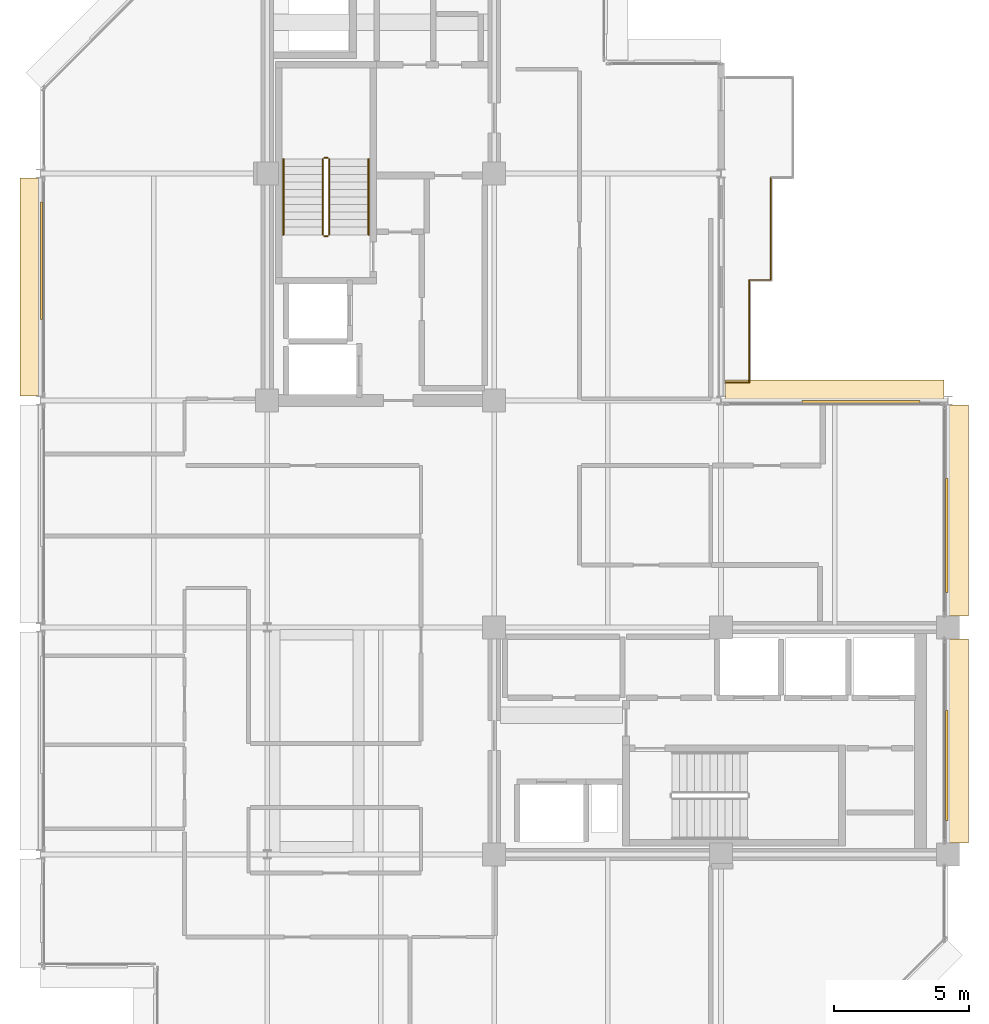
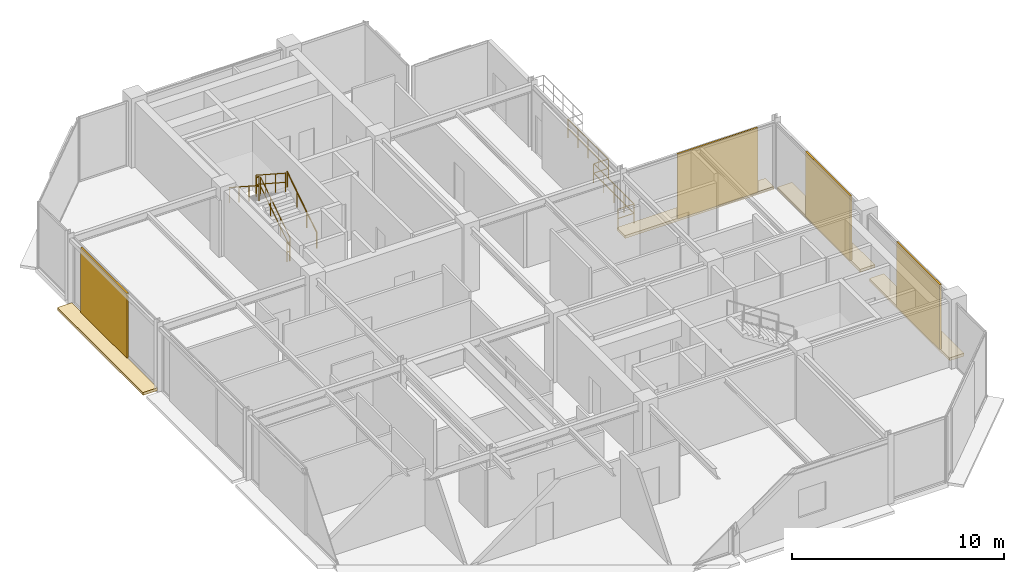
# One storey, part 24 of 25: 10 railings, 8 coverings.
"""IFC4 building model written with IfcOpenShell, lengths in metres."""

from ifc_helpers import new_model, si_unit, direction, frame, origin, origin_2d, place, context, subcontext, project, spatial, polyline, rectangle, circle, outline, extrude, material, layer, layer_set, type_object, element, save


model = new_model("IFC4")

# Units and contexts
model_context = context("Model", 3, precision=1e-05, world=origin(), true_north=direction((0.0, 1.0)))
body_context = subcontext(model_context, "Body", "Model", "MODEL_VIEW")
ifc_project = project(units=[si_unit("LENGTHUNIT", "METRE"), si_unit("AREAUNIT", "SQUARE_METRE"), si_unit("VOLUMEUNIT", "CUBIC_METRE"), si_unit("PLANEANGLEUNIT", "RADIAN"), si_unit("MASSUNIT", "GRAM", prefix="KILO")], contexts=[model_context])

# Site, building, storey
site_placement = place(None, origin())
site = spatial("IfcSite", under=ifc_project, at=site_placement, CompositionType="ELEMENT")
building_placement = place(site_placement, origin())
building = spatial("IfcBuilding", under=site, at=building_placement, Name="Nerrivon Quay Data Exchange", CompositionType="ELEMENT")
storey_placement = place(building_placement, frame((0.0, 0.0, 314.199951171875)))
storey = spatial("IfcBuildingStorey", under=building, at=storey_placement, Name="L75", CompositionType="ELEMENT", Elevation=314.199951171875)

# Coverings
ifc_material_1 = material(Name="Architectural terracotta ceramic", Category="masonry")
ifc_layer_1 = layer(ifc_material_1, 0.159912109375)
ifc_layer_set_1 = layer_set([ifc_layer_1], Name="Architectural terracotta ceramic")
covering_type_1 = type_object("IfcCoveringType", Name="COV-BLD-TERR", PredefinedType="CLADDING", material=ifc_layer_set_1)
covering_1_placement = place(storey_placement, frame((0.0, 0.0, -0.159912109375)))
element("IfcCovering", 1, at=covering_1_placement, inside=storey, type_object=covering_type_1, Name="L75 Horizontal Terracotta SOLAR SCREEN Blade", PredefinedType="CLADDING", context=body_context, shape_type="SweptSolid", body=[
    extrude(outline(polyline([(0.0400390625, 25.363525390625), (0.0400390625, 33.4365234375), (-0.75, 33.4365234375), (-0.75, 25.363525390625), (0.0400390625, 25.363525390625)])), origin(), (0.0, 0.0, 1.0), 0.159912109375),
])
covering_2_placement = place(storey_placement, frame((0.0, 0.0, -0.159912109375)))
element("IfcCovering", 2, at=covering_2_placement, inside=storey, type_object=covering_type_1, Name="L75 Horizontal Terracotta SOLAR SCREEN Blade", PredefinedType="CLADDING", context=body_context, shape_type="SweptSolid", body=[
    extrude(outline(polyline([(25.35546875, 25.159912109375), (33.444580078125, 25.159912109375), (33.444580078125, 25.949951171875), (25.35546875, 25.949951171875), (25.35546875, 25.159912109375)])), origin(), (0.0, 0.0, 1.0), 0.159912109375),
])
covering_3_placement = place(storey_placement, frame((0.0, 0.0, -0.159912109375)))
element("IfcCovering", 3, at=covering_3_placement, inside=storey, type_object=covering_type_1, Name="L75 Horizontal Terracotta SOLAR SCREEN Blade", PredefinedType="CLADDING", context=body_context, shape_type="SweptSolid", body=[
    extrude(outline(polyline([(33.56005859375, 25.03662109375), (33.56005859375, 17.22509765625), (34.35009765625, 17.22509765625), (34.35009765625, 25.03662109375), (33.56005859375, 25.03662109375)])), origin(), (0.0, 0.0, 1.0), 0.159912109375),
])
covering_4_placement = place(storey_placement, frame((0.0, 0.0, -0.159912109375)))
element("IfcCovering", 4, at=covering_4_placement, inside=storey, type_object=covering_type_1, Name="L75 Horizontal Terracotta SOLAR SCREEN Blade", PredefinedType="CLADDING", context=body_context, shape_type="SweptSolid", body=[
    extrude(outline(polyline([(33.56005859375, 16.375), (33.56005859375, 8.824951171875), (34.35009765625, 8.824951171875), (34.35009765625, 16.375), (33.56005859375, 16.375)])), origin(), (0.0, 0.0, 1.0), 0.159912109375),
])
ifc_layer_2 = layer(ifc_material_1, 0.090087890625)
ifc_layer_set_2 = layer_set([ifc_layer_2], Name="Architectural terracotta ceramic")
covering_type_2 = type_object("IfcCoveringType", Name="COV-SCR-TERR", PredefinedType="CLADDING", material=ifc_layer_set_2)
covering_5_placement = place(storey_placement, frame((0.044921875, 30.368896484375, 0.0), z_axis=(0.0, 0.0, 1.0), x_axis=(0.0, 1.0, 0.0)))
element("IfcCovering", 5, at=covering_5_placement, inside=storey, type_object=covering_type_2, Name="L75 Perforated Terracotta SOLAR SCREEN Cassette", PredefinedType="CLADDING", context=body_context, shape_type="SweptSolid", body=[
    extrude(rectangle(XDim=4.35888671875, YDim=0.090087890625, at=origin_2d()), origin(), (0.0, 0.0, 1.0), 3.72509765625),
])
covering_6_placement = place(storey_placement, frame((30.37060546875, 25.155029296875, 0.0), z_axis=(0.0, 0.0, 1.0), x_axis=(1.0, 0.0, 0.0)))
element("IfcCovering", 6, at=covering_6_placement, inside=storey, type_object=covering_type_2, Name="L75 Perforated Terracotta SOLAR SCREEN Cassette", PredefinedType="CLADDING", context=body_context, shape_type="SweptSolid", body=[
    extrude(rectangle(XDim=4.367919921875, YDim=0.090087890625, at=origin_2d()), origin(), (0.0, 0.0, 1.0), 3.72509765625),
])
covering_7_placement = place(storey_placement, frame((33.554931640625, 20.193359375, 0.0), z_axis=(0.0, 0.0, 1.0), x_axis=(0.0, -1.0, 0.0)))
element("IfcCovering", 7, at=covering_7_placement, inside=storey, type_object=covering_type_2, Name="L75 Perforated Terracotta SOLAR SCREEN Cassette", PredefinedType="CLADDING", context=body_context, shape_type="SweptSolid", body=[
    extrude(rectangle(XDim=4.218017578125, YDim=0.090087890625, at=origin_2d()), origin(), (0.0, 0.0, 1.0), 3.72509765625),
])
covering_8_placement = place(storey_placement, frame((33.554931640625, 11.694091796875, 0.0), z_axis=(0.0, 0.0, 1.0), x_axis=(0.0, -1.0, 0.0)))
element("IfcCovering", 8, at=covering_8_placement, inside=storey, type_object=covering_type_2, Name="L75 Perforated Terracotta SOLAR SCREEN Cassette", PredefinedType="CLADDING", context=body_context, shape_type="SweptSolid", body=[
    extrude(rectangle(XDim=4.076904296875, YDim=0.090087890625, at=origin_2d()), origin(), (0.0, 0.0, 1.0), 3.72509765625),
])

# Railings
ifc_material_2 = material(Name="Steel Grade C350L0 (350 MPa)", Category="steel")
railing_type_1 = type_object("IfcRailingType", Name="RAIL-GUARD-GR2", PredefinedType="BALUSTRADE", material=ifc_material_2)
railing_1_placement = place(storey_placement, frame((26.239990234375, 29.659912109375, 0.0)))
element("IfcRailing", 9, at=railing_1_placement, inside=storey, type_object=railing_type_1, Name="L75 Verandah Balcony Guard 1.1 1", PredefinedType="BALUSTRADE", context=body_context, shape_type="SweptSolid", body=[
    extrude(circle(Radius=0.02392578125, at=origin_2d()), frame((0.0, 0.0, 1.09619140625), z_axis=(0.0, -1.0, 0.0), x_axis=(1.0, 0.0, 0.0)), (0.0, 0.0, 1.0), 3.7998046875),
    extrude(circle(Radius=0.02392578125, at=origin_2d()), frame((0.0, 0.0, 0.56005859375), z_axis=(0.0, -1.0, 0.0), x_axis=(1.0, 0.0, 0.0)), (0.0, 0.0, 1.0), 3.7998046875),
    extrude(circle(Radius=0.02099609375, at=origin_2d()), origin(), (0.0, 0.0, 1.0), 1.072021484375),
    extrude(circle(Radius=0.02099609375, at=origin_2d()), frame((0.0, -0.949951171875, 0.0)), (0.0, 0.0, 1.0), 1.072021484375),
    extrude(circle(Radius=0.02099609375, at=origin_2d()), frame((0.0, -1.89990234375, 0.0)), (0.0, 0.0, 1.0), 1.072021484375),
    extrude(circle(Radius=0.02099609375, at=origin_2d()), frame((0.0, -2.849853515625, 0.0)), (0.0, 0.0, 1.0), 1.072021484375),
    extrude(circle(Radius=0.02099609375, at=origin_2d()), frame((0.0, -3.7998046875, 0.0)), (0.0, 0.0, 1.0), 1.072021484375),
])
railing_2_placement = place(storey_placement, frame((26.239990234375, 25.860107421875, 0.0)))
element("IfcRailing", 10, at=railing_2_placement, inside=storey, type_object=railing_type_1, Name="L75 Verandah Balcony Guard 1.2 1", PredefinedType="BALUSTRADE", context=body_context, shape_type="SweptSolid", body=[
    extrude(circle(Radius=0.02392578125, at=origin_2d()), frame((0.0, 0.0, 1.09619140625), z_axis=(-1.0, 0.0, 0.0), x_axis=(0.0, -1.0, 0.0)), (0.0, 0.0, 1.0), 0.860107421875),
    extrude(circle(Radius=0.02392578125, at=origin_2d()), frame((0.0, 0.0, 0.56005859375), z_axis=(-1.0, 0.0, 0.0), x_axis=(0.0, -1.0, 0.0)), (0.0, 0.0, 1.0), 0.860107421875),
    extrude(circle(Radius=0.02099609375, at=origin_2d()), origin(), (0.0, 0.0, 1.0), 1.072021484375),
    extrude(circle(Radius=0.02099609375, at=origin_2d()), frame((-0.860107421875, 0.0, 0.0)), (0.0, 0.0, 1.0), 1.072021484375),
])
railing_3_placement = place(storey_placement, frame((27.0400390625, 33.4599609375, 0.0)))
element("IfcRailing", 11, at=railing_3_placement, inside=storey, type_object=railing_type_1, Name="L75 Verandah Balcony Guard 1.6 1", PredefinedType="BALUSTRADE", context=body_context, shape_type="SweptSolid", body=[
    extrude(circle(Radius=0.02392578125, at=origin_2d()), frame((0.0, 0.0, 1.09619140625), z_axis=(0.0, -1.0, 0.0), x_axis=(1.0, 0.0, 0.0)), (0.0, 0.0, 1.0), 3.800048828125),
    extrude(circle(Radius=0.02392578125, at=origin_2d()), frame((0.0, 0.0, 0.56005859375), z_axis=(0.0, -1.0, 0.0), x_axis=(1.0, 0.0, 0.0)), (0.0, 0.0, 1.0), 3.800048828125),
    extrude(circle(Radius=0.02099609375, at=origin_2d()), origin(), (0.0, 0.0, 1.0), 1.072021484375),
    extrude(circle(Radius=0.02099609375, at=origin_2d()), frame((0.0, -0.949951171875, 0.0)), (0.0, 0.0, 1.0), 1.072021484375),
    extrude(circle(Radius=0.02099609375, at=origin_2d()), frame((0.0, -1.89990234375, 0.0)), (0.0, 0.0, 1.0), 1.072021484375),
    extrude(circle(Radius=0.02099609375, at=origin_2d()), frame((0.0, -2.85009765625, 0.0)), (0.0, 0.0, 1.0), 1.072021484375),
    extrude(circle(Radius=0.02099609375, at=origin_2d()), frame((0.0, -3.800048828125, 0.0)), (0.0, 0.0, 1.0), 1.072021484375),
])
railing_4_placement = place(storey_placement, frame((27.0400390625, 29.659912109375, 0.0)))
element("IfcRailing", 12, at=railing_4_placement, inside=storey, type_object=railing_type_1, Name="L75 Verandah Balcony Guard 1.7 1", PredefinedType="BALUSTRADE", context=body_context, shape_type="SweptSolid", body=[
    extrude(circle(Radius=0.02392578125, at=origin_2d()), frame((0.0, 0.0, 1.09619140625), z_axis=(-1.0, 0.0, 0.0), x_axis=(0.0, -1.0, 0.0)), (0.0, 0.0, 1.0), 0.800048828125),
    extrude(circle(Radius=0.02392578125, at=origin_2d()), frame((0.0, 0.0, 0.56005859375), z_axis=(-1.0, 0.0, 0.0), x_axis=(0.0, -1.0, 0.0)), (0.0, 0.0, 1.0), 0.800048828125),
    extrude(circle(Radius=0.02099609375, at=origin_2d()), origin(), (0.0, 0.0, 1.0), 1.072021484375),
    extrude(circle(Radius=0.02099609375, at=origin_2d()), frame((-0.800048828125, 0.0, 0.0)), (0.0, 0.0, 1.0), 1.072021484375),
])
railing_type_2 = type_object("IfcRailingType", Name="RAIL-HAND-HR1", PredefinedType="HANDRAIL", material=ifc_material_2)
railing_5_placement = place(storey_placement, frame((12.14990234375, 31.330078125, 0.181884765625)))
element("IfcRailing", 13, at=railing_5_placement, inside=storey, type_object=railing_type_2, Name="L75 ST01 stair handrail 1", PredefinedType="HANDRAIL", context=body_context, shape_type="SweptSolid", body=[
    extrude(circle(Radius=0.02392578125, at=origin_2d()), frame((0.0, 0.0, 0.8759765625), z_axis=(0.0, 0.83868413941, 0.544618136222), x_axis=(-1.0, 0.0, 0.0)), (0.0, 0.0, 1.0), 3.33837890625),
    extrude(circle(Radius=0.02099609375, at=origin_2d()), origin(), (0.0, 0.0, 1.0), 0.851806640625),
    extrude(circle(Radius=0.02099609375, at=origin_2d()), frame((0.0, 0.933349609375, 0.60595703125)), (0.0, 0.0, 1.0), 0.851806640625),
    extrude(circle(Radius=0.02099609375, at=origin_2d()), frame((0.0, 1.866455078125, 1.212158203125)), (0.0, 0.0, 1.0), 0.851806640625),
    extrude(circle(Radius=0.02099609375, at=origin_2d()), frame((0.0, 2.7998046875, 1.818115234375)), (0.0, 0.0, 1.0), 0.851806640625),
])
railing_6_placement = place(storey_placement, frame((9.0, 34.1298828125, 2.181884765625)))
element("IfcRailing", 14, at=railing_6_placement, inside=storey, type_object=railing_type_2, Name="L75 ST01 stair handrail 2", PredefinedType="HANDRAIL", context=body_context, shape_type="SweptSolid", body=[
    extrude(circle(Radius=0.02392578125, at=origin_2d()), frame((0.0, 0.0, 0.8759765625), z_axis=(0.0, -0.83868413941, 0.544618136222), x_axis=(1.0, 0.0, 0.0)), (0.0, 0.0, 1.0), 3.33837890625),
    extrude(circle(Radius=0.02099609375, at=origin_2d()), origin(), (0.0, 0.0, 1.0), 0.851806640625),
    extrude(circle(Radius=0.02099609375, at=origin_2d()), frame((0.0, -0.933349609375, 0.60595703125)), (0.0, 0.0, 1.0), 0.851806640625),
    extrude(circle(Radius=0.02099609375, at=origin_2d()), frame((0.0, -1.866455078125, 1.212158203125)), (0.0, 0.0, 1.0), 0.851806640625),
    extrude(circle(Radius=0.02099609375, at=origin_2d()), frame((0.0, -2.7998046875, 1.818115234375)), (0.0, 0.0, 1.0), 0.851806640625),
])
railing_type_3 = type_object("IfcRailingType", Name="RAIL-STAIR-GR1", PredefinedType="BALUSTRADE", material=ifc_material_2)
railing_7_placement = place(storey_placement, frame((10.699951171875, 31.330078125, 0.181884765625)))
element("IfcRailing", 15, at=railing_7_placement, inside=storey, type_object=railing_type_3, Name="L75 ST01 stair guard 1", PredefinedType="BALUSTRADE", context=body_context, shape_type="SweptSolid", body=[
    extrude(circle(Radius=0.02392578125, at=origin_2d()), frame((0.0, 0.0, 1.076171875), z_axis=(0.0, 0.83868413941, 0.544618136222), x_axis=(-1.0, 0.0, 0.0)), (0.0, 0.0, 1.0), 3.33837890625),
    extrude(circle(Radius=0.02392578125, at=origin_2d()), frame((0.0, 0.0, 0.550048828125), z_axis=(0.0, 0.83868413941, 0.544618136222), x_axis=(-1.0, 0.0, 0.0)), (0.0, 0.0, 1.0), 3.33837890625),
    extrude(circle(Radius=0.02099609375, at=origin_2d()), origin(), (0.0, 0.0, 1.0), 1.052001953125),
    extrude(circle(Radius=0.02099609375, at=origin_2d()), frame((0.0, 0.933349609375, 0.60595703125)), (0.0, 0.0, 1.0), 1.052001953125),
    extrude(circle(Radius=0.02099609375, at=origin_2d()), frame((0.0, 1.866455078125, 1.212158203125)), (0.0, 0.0, 1.0), 1.052001953125),
    extrude(circle(Radius=0.02099609375, at=origin_2d()), frame((0.0, 2.7998046875, 1.818115234375)), (0.0, 0.0, 1.0), 1.052001953125),
])
railing_8_placement = place(storey_placement, frame((10.64990234375, 34.179931640625, 2.0)))
element("IfcRailing", 16, at=railing_8_placement, inside=storey, type_object=railing_type_3, Name="L75 ST01 stair guard 2", PredefinedType="BALUSTRADE", context=body_context, shape_type="SweptSolid", body=[
    extrude(circle(Radius=0.02392578125, at=origin_2d()), frame((0.0, 0.0, 1.076171875), z_axis=(-1.0, 0.0, 0.0), x_axis=(0.0, -1.0, 0.0)), (0.0, 0.0, 1.0), 0.14990234375),
    extrude(circle(Radius=0.02392578125, at=origin_2d()), frame((0.0, 0.0, 0.550048828125), z_axis=(-1.0, 0.0, 0.0), x_axis=(0.0, -1.0, 0.0)), (0.0, 0.0, 1.0), 0.14990234375),
    extrude(circle(Radius=0.02099609375, at=origin_2d()), origin(), (0.0, 0.0, 1.0), 1.052001953125),
    extrude(circle(Radius=0.02099609375, at=origin_2d()), frame((-0.14990234375, 0.0, 0.0)), (0.0, 0.0, 1.0), 1.052001953125),
])
railing_9_placement = place(storey_placement, frame((10.449951171875, 34.1298828125, 2.181884765625)))
element("IfcRailing", 17, at=railing_9_placement, inside=storey, type_object=railing_type_3, Name="L75 ST01 stair guard 3", PredefinedType="BALUSTRADE", context=body_context, shape_type="SweptSolid", body=[
    extrude(circle(Radius=0.02392578125, at=origin_2d()), frame((0.0, 0.0, 1.076171875), z_axis=(0.0, -0.83868413941, 0.544618136222), x_axis=(1.0, 0.0, 0.0)), (0.0, 0.0, 1.0), 3.33837890625),
    extrude(circle(Radius=0.02392578125, at=origin_2d()), frame((0.0, 0.0, 0.550048828125), z_axis=(0.0, -0.83868413941, 0.544618136222), x_axis=(1.0, 0.0, 0.0)), (0.0, 0.0, 1.0), 3.33837890625),
    extrude(circle(Radius=0.02099609375, at=origin_2d()), origin(), (0.0, 0.0, 1.0), 1.052001953125),
    extrude(circle(Radius=0.02099609375, at=origin_2d()), frame((0.0, -0.933349609375, 0.60595703125)), (0.0, 0.0, 1.0), 1.052001953125),
    extrude(circle(Radius=0.02099609375, at=origin_2d()), frame((0.0, -1.866455078125, 1.212158203125)), (0.0, 0.0, 1.0), 1.052001953125),
    extrude(circle(Radius=0.02099609375, at=origin_2d()), frame((0.0, -2.7998046875, 1.818115234375)), (0.0, 0.0, 1.0), 1.052001953125),
])
railing_10_placement = place(storey_placement, frame((10.64990234375, 31.280029296875, 0.0)))
element("IfcRailing", 18, at=railing_10_placement, inside=storey, type_object=railing_type_3, Name="L75 ST01 stair guard 4", PredefinedType="BALUSTRADE", context=body_context, shape_type="SweptSolid", body=[
    extrude(circle(Radius=0.02392578125, at=origin_2d()), frame((0.0, 0.0, 1.076171875), z_axis=(-1.0, 0.0, 0.0), x_axis=(0.0, -1.0, 0.0)), (0.0, 0.0, 1.0), 0.14990234375),
    extrude(circle(Radius=0.02392578125, at=origin_2d()), frame((0.0, 0.0, 0.550048828125), z_axis=(-1.0, 0.0, 0.0), x_axis=(0.0, -1.0, 0.0)), (0.0, 0.0, 1.0), 0.14990234375),
    extrude(circle(Radius=0.02099609375, at=origin_2d()), origin(), (0.0, 0.0, 1.0), 1.052001953125),
    extrude(circle(Radius=0.02099609375, at=origin_2d()), frame((-0.14990234375, 0.0, 0.0)), (0.0, 0.0, 1.0), 1.052001953125),
])

save(model, "model.ifc")
